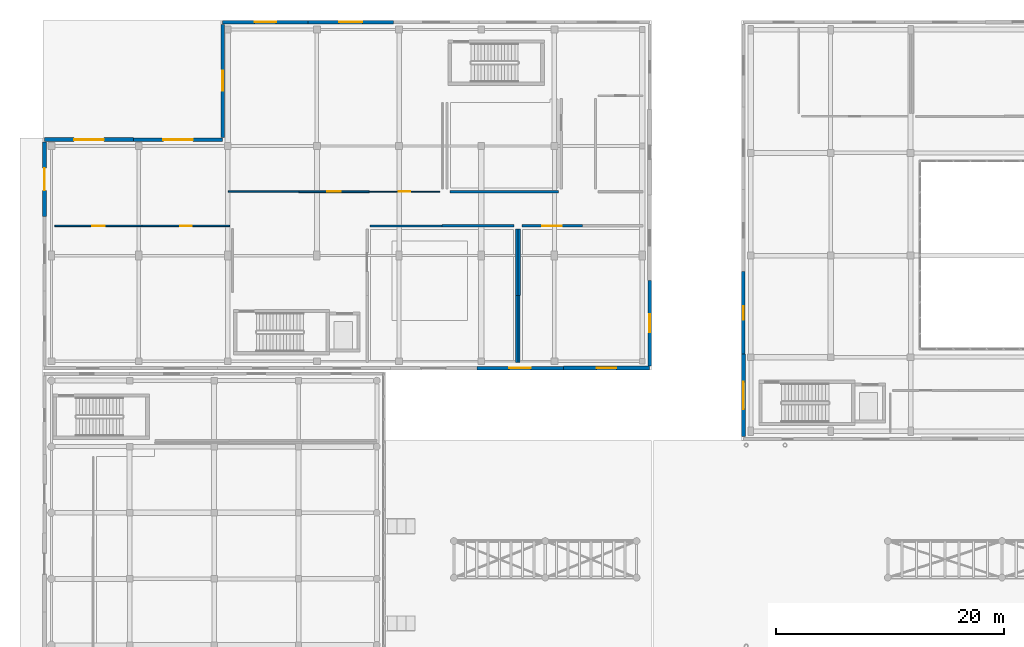
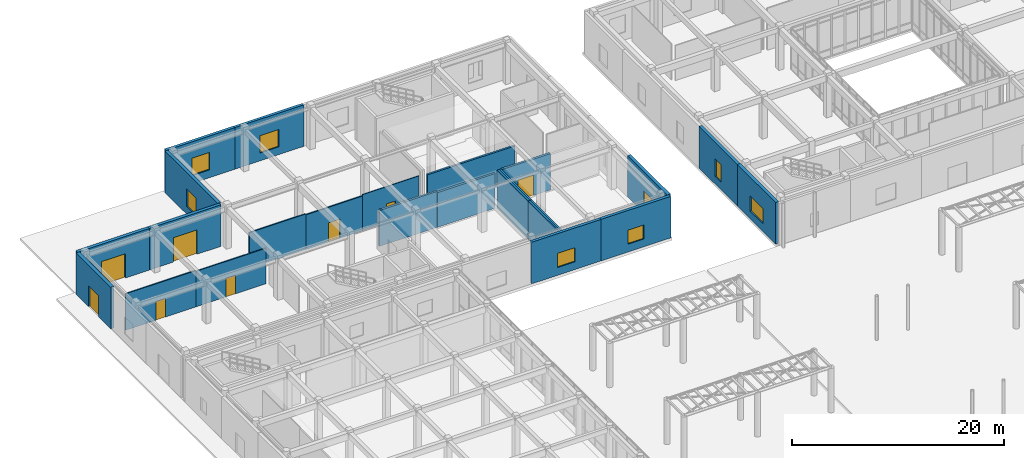
# One storey, part 102 of 121: 24 walls, 8 doors, 8 windows, 16 openings.
"""IFC4 building model written with IfcOpenShell, lengths in metres."""

import ifcopenshell
import ifcopenshell.guid

model = None  # the IFC model being written
_history = None  # IfcOwnerHistory: only IFC2X3 demands one
_inside = {}  # id of a spatial element -> (the spatial element, [elements in it])
_under = {}  # id of a project, library or spatial element -> (it, [spatial elements below it])
_declared = {}  # id of a project -> (the project, [libraries it declares])
_typed = {}  # id of a type object -> (the type object, [elements of that type])
_made_of = {}  # id of a material, layer set ... -> (it, [elements and type objects made of it])


def new_model(schema):
    """Start an empty IFC model of exactly this schema.

    Asked for "IFC4X3", IfcOpenShell would pick the latest addendum, in which some entities
    have other attributes; the version numbers below select the first issue.
    IFC2X3 requires an IfcOwnerHistory on every rooted entity: one is made here for all.
    """
    global model, _history
    if schema == "IFC4X3":
        model = ifcopenshell.file(schema_version=(4, 3, 0, 0))
    else:
        model = ifcopenshell.file(schema=schema)
    _inside.clear()
    _under.clear()
    _declared.clear()
    _typed.clear()
    _made_of.clear()
    _history = None
    if model.schema == "IFC2X3":
        org = make("IfcOrganization", Name="unknown")
        user = make(
            "IfcPersonAndOrganization",
            ThePerson=make("IfcPerson", FamilyName="unknown"),
            TheOrganization=org,
        )
        app = make(
            "IfcApplication",
            ApplicationDeveloper=org,
            Version="unknown",
            ApplicationFullName="unknown",
            ApplicationIdentifier="unknown",
        )
        _history = make(
            "IfcOwnerHistory",
            OwningUser=user,
            OwningApplication=app,
            ChangeAction="ADDED",
            CreationDate=0,
        )
    return model


def make(cls, **values):
    """One entity of the class cls with the attributes given. An attribute that is None is left unset."""
    return model.create_entity(
        cls, **{name: value for name, value in values.items() if value is not None}
    )


def rooted(cls, **values):
    """An entity with a GlobalId (a new one), such as an element, a storey or a relation."""
    return make(cls, GlobalId=ifcopenshell.guid.new(), OwnerHistory=_history, **values)


def si_unit(unit_type, name, prefix=None):
    """IfcSIUnit, for example si_unit("LENGTHUNIT", "METRE", prefix="MILLI")."""
    return make("IfcSIUnit", UnitType=unit_type, Prefix=prefix, Name=name)


def assignment(units):
    """IfcUnitAssignment: the units of a project."""
    return None if units is None else make("IfcUnitAssignment", Units=units)


def point(xyz):
    """IfcCartesianPoint."""
    return None if xyz is None else make("IfcCartesianPoint", Coordinates=xyz)


def direction(xyz):
    """IfcDirection."""
    return None if xyz is None else make("IfcDirection", DirectionRatios=xyz)


def frame(location, z_axis=None, x_axis=None):
    """IfcAxis2Placement3D, a coordinate frame: its origin and axes. An axis left out is left unset."""
    return make(
        "IfcAxis2Placement3D",
        Location=point(location),
        Axis=direction(z_axis),
        RefDirection=direction(x_axis),
    )


def frame_2d(location, x_axis=None):
    """IfcAxis2Placement2D, a coordinate frame in the plane: its origin and x axis."""
    return make(
        "IfcAxis2Placement2D", Location=point(location), RefDirection=direction(x_axis)
    )


def origin():
    """The frame at (0, 0, 0) with its axes left unset."""
    return frame((0.0, 0.0, 0.0))


def place(relative_to, where):
    """IfcLocalPlacement: puts the frame where relative to a parent placement (None: the world)."""
    return make(
        "IfcLocalPlacement", PlacementRelTo=relative_to, RelativePlacement=where
    )


def context(
    kind, dimensions, precision=None, world=None, true_north=None, identifier=None
):
    """IfcGeometricRepresentationContext, for example the 3D "Model" context."""
    return make(
        "IfcGeometricRepresentationContext",
        ContextIdentifier=identifier,
        ContextType=kind,
        CoordinateSpaceDimension=dimensions,
        Precision=precision,
        WorldCoordinateSystem=world,
        TrueNorth=true_north,
    )


def subcontext(parent, identifier, kind, view, scale=None):
    """IfcGeometricRepresentationSubContext, for example "Body" below "Model"."""
    return make(
        "IfcGeometricRepresentationSubContext",
        ContextIdentifier=identifier,
        ContextType=kind,
        ParentContext=parent,
        TargetScale=scale,
        TargetView=view,
    )


def project(units=None, contexts=None):
    """IfcProject with its units and contexts."""
    return rooted(
        "IfcProject",
        Name="project",
        RepresentationContexts=contexts,
        UnitsInContext=assignment(units),
    )


def spatial(cls, under=None, at=None, **own):
    """A site, building, storey or space (cls), placed at a placement, below another one or the project."""
    s = rooted(cls, ObjectPlacement=at, **own)
    if under is not None:
        _under.setdefault(under.id(), (under, []))[1].append(s)
    return s


def profile(cls, at=None, kind="AREA", **sizes):
    """A parametric profile (cls). Its sizes go by their IFC names, for example OverallWidth=200.0."""
    return make(cls, ProfileType=kind, Position=at, **sizes)


def rectangle(**sizes):
    """IfcRectangleProfileDef."""
    return profile("IfcRectangleProfileDef", **sizes)


def extrude(swept, where, along, depth):
    """IfcExtrudedAreaSolid: the profile swept, set in the frame where, extruded along a direction by depth."""
    return make(
        "IfcExtrudedAreaSolid",
        SweptArea=swept,
        Position=where,
        ExtrudedDirection=direction(along),
        Depth=depth,
    )


def shape(context_of_items, identifier, shape_type, items):
    """IfcShapeRepresentation: the items that make up one representation, for example the "Body"."""
    return make(
        "IfcShapeRepresentation",
        ContextOfItems=context_of_items,
        RepresentationIdentifier=identifier,
        RepresentationType=shape_type,
        Items=items,
    )


def material(Name=None, Category=None):
    """IfcMaterial."""
    return make("IfcMaterial", Name=Name, Category=Category)


def layer(
    of_material, thickness, ventilated=None, Name=None, Category=None, Priority=None
):
    """IfcMaterialLayer: one layer of a wall or slab, of a material (None: an air gap)."""
    return make(
        "IfcMaterialLayer",
        Material=of_material,
        LayerThickness=thickness,
        IsVentilated=ventilated,
        Name=Name,
        Category=Category,
        Priority=Priority,
    )


def layer_set(layers, Name=None):
    """IfcMaterialLayerSet."""
    return make("IfcMaterialLayerSet", MaterialLayers=layers, LayerSetName=Name)


def made_of(thing, what):
    """Note that an element or type object is made of a material, layer set ...; save() writes the relation."""
    if what is not None:
        _made_of.setdefault(what.id(), (what, []))[1].append(thing)
    return thing


def type_object(cls, material=None, **own):
    """A type object (cls), such as IfcWallType, which elements share."""
    return made_of(rooted(cls, **own), material)


def element(
    cls,
    number,
    at=None,
    inside=None,
    cuts=None,
    type_object=None,
    material=None,
    context=None,
    identifier="Body",
    shape_type=None,
    held_by="IfcProductDefinitionShape",
    body=None,
    shapes=None,
    **own,
):
    """One element of the class cls, such as IfcWall. Its Tag is "e" and its number.

    at: its placement. inside: the storey or other place that contains it. cuts: it is an
    opening in that element (IfcRelVoidsElement). A single representation is given by context,
    identifier, shape_type and body (its items); several are given by shapes. held_by: the class
    of the entity that holds the representations. save() writes the other relations.
    """
    e = rooted(cls, Tag="e%d" % number, ObjectPlacement=at, **own)
    if body is not None:
        shapes = [shape(context, identifier, shape_type, body)]
    if shapes is not None:
        e.Representation = make(held_by, Representations=shapes)
    if inside is not None:
        _inside.setdefault(inside.id(), (inside, []))[1].append(e)
    if cuts is not None:
        rooted(
            "IfcRelVoidsElement", RelatingBuildingElement=cuts, RelatedOpeningElement=e
        )
    if type_object is not None:
        _typed.setdefault(type_object.id(), (type_object, []))[1].append(e)
    return made_of(e, material)


def fill(opening, filler):
    """IfcRelFillsElement: the door or window that sits in an opening."""
    return rooted(
        "IfcRelFillsElement",
        RelatingOpeningElement=opening,
        RelatedBuildingElement=filler,
    )


def aggregate(whole, parts):
    """IfcRelAggregates: a whole, such as a stair, and the parts it consists of."""
    return rooted("IfcRelAggregates", RelatingObject=whole, RelatedObjects=parts)


def save(model, path):
    """Write the relations noted so far, then the file.

    IfcRelAggregates (storeys below a building ...), IfcRelContainedInSpatialStructure (elements
    in a storey), IfcRelDefinesByType, IfcRelAssociatesMaterial and IfcRelDeclares: one each for
    every whole, place, type object, material and project.
    """
    for whole, parts in _under.values():
        aggregate(whole, parts)
    for where, things in _inside.values():
        rooted(
            "IfcRelContainedInSpatialStructure",
            RelatedElements=things,
            RelatingStructure=where,
        )
    for kind, things in _typed.values():
        rooted("IfcRelDefinesByType", RelatedObjects=things, RelatingType=kind)
    for what, things in _made_of.values():
        rooted("IfcRelAssociatesMaterial", RelatedObjects=things, RelatingMaterial=what)
    for by, libraries in _declared.values():
        rooted("IfcRelDeclares", RelatingContext=by, RelatedDefinitions=libraries)
    model.write(path)


model = new_model("IFC4")

# Units and contexts
model_context = context("Model", 3, precision=1e-05, world=origin(), true_north=direction((0.0, 1.0)))
body_context = subcontext(model_context, "Body", "Model", "MODEL_VIEW")
ifc_project = project(units=[si_unit("LENGTHUNIT", "METRE"), si_unit("AREAUNIT", "SQUARE_METRE"), si_unit("VOLUMEUNIT", "CUBIC_METRE"), si_unit("PLANEANGLEUNIT", "RADIAN"), si_unit("MASSUNIT", "GRAM", prefix="KILO")], contexts=[model_context])

# Site, building, storey
site_placement = place(None, origin())
site = spatial("IfcSite", under=ifc_project, at=site_placement, CompositionType="ELEMENT")
building_placement = place(site_placement, origin())
building = spatial("IfcBuilding", under=site, at=building_placement, Name="Valcora Specialist Clinic", CompositionType="ELEMENT")
storey_placement = place(building_placement, origin())
storey = spatial("IfcBuildingStorey", under=building, at=storey_placement, Name="L00", CompositionType="ELEMENT", Elevation=0.0)

# Wall, opening, window
ifc_material_1 = material(Name="Extruded Jalisco Clay Brick Masonry", Category="masonry")
ifc_layer_1 = layer(ifc_material_1, 0.294921875)
ifc_layer_set_1 = layer_set([ifc_layer_1], Name="Extruded Jalisco Clay Brick Masonry")
wall_type_1 = type_object("IfcWallType", Name="TY-WL-EW295", PredefinedType="SOLIDWALL", material=ifc_layer_set_1)
wall_1_placement = place(storey_placement, frame((23.22998046875, 110.64990234375, 0.0), z_axis=(0.0, 0.0, 1.0), x_axis=(1.0, 0.0, 0.0)))
wall_1 = element("IfcWall", 1, at=wall_1_placement, inside=storey, type_object=wall_type_1, Name="Exterior wall WL-EXT-L00-0046", PredefinedType="SOLIDWALL", context=body_context, shape_type="SweptSolid", body=[
    extrude(rectangle(XDim=7.47998046875, YDim=0.294921875, at=frame_2d((3.739990234375, 0.0))), origin(), (0.0, 0.0, 1.0), 4.784912109375),
])
opening_1_placement = place(wall_1_placement, frame((2.715087890625, 0.0, 0.89990234375)))
opening_1 = element("IfcOpeningElement", 2, at=opening_1_placement, cuts=wall_1, Name="Opening WN-27", PredefinedType="OPENING", context=body_context, shape_type="SweptSolid", body=[
    extrude(rectangle(XDim=2.050048828125, YDim=2.0, at=frame_2d((1.02490234375, 1.0))), frame((0.0, 0.157470703125, 0.0), z_axis=(0.0, -1.0, 0.0), x_axis=(1.0, 0.0, 0.0)), (0.0, 0.0, 1.0), 0.31494140625),
])
ifc_material_2 = material(Name="Low-E Laminated Insulating Glass", Category="glass")
window_type_1 = type_object("IfcWindowType", Name="TY-WN-27", PartitioningType="SINGLE_PANEL", PredefinedType="WINDOW", material=ifc_material_2)
window_1_placement = place(opening_1_placement, origin())
window_1 = element("IfcWindow", 3, at=window_1_placement, inside=storey, type_object=window_type_1, Name="Facade window WN-L00-0027", OverallHeight=2.0, OverallWidth=2.050048828125, PartitioningType="SINGLE_PANEL", PredefinedType="WINDOW", context=body_context, shape_type="SweptSolid", body=[
    extrude(rectangle(XDim=2.050048828125, YDim=2.0, at=frame_2d((1.02490234375, 1.0))), frame((0.0, 0.030029296875, 0.0), z_axis=(0.0, -1.0, 0.0), x_axis=(1.0, 0.0, 0.0)), (0.0, 0.0, 1.0), 0.06005859375),
])
fill(opening_1, window_1)

ifc_layer_2 = layer(ifc_material_1, 0.31005859375)
ifc_layer_set_2 = layer_set([ifc_layer_2], Name="Extruded Jalisco Clay Brick Masonry")
wall_type_2 = type_object("IfcWallType", Name="TY-WL-EW310", PredefinedType="SOLIDWALL", material=ifc_layer_set_2)
wall_2_placement = place(storey_placement, frame((15.75, 110.64990234375, 0.0), z_axis=(0.0, 0.0, 1.0), x_axis=(1.0, 0.0, 0.0)))
wall_2 = element("IfcWall", 4, at=wall_2_placement, inside=storey, type_object=wall_type_2, Name="Exterior wall WL-EXT-L00-0045", PredefinedType="SOLIDWALL", context=body_context, shape_type="SweptSolid", body=[
    extrude(rectangle(XDim=7.47998046875, YDim=0.31005859375, at=frame_2d((3.739990234375, 0.0))), origin(), (0.0, 0.0, 1.0), 4.784912109375),
])
opening_2_placement = place(wall_2_placement, frame((2.7900390625, 0.0, 0.89990234375)))
opening_2 = element("IfcOpeningElement", 5, at=opening_2_placement, cuts=wall_2, Name="Opening WN-26", PredefinedType="OPENING", context=body_context, shape_type="SweptSolid", body=[
    extrude(rectangle(XDim=1.89990234375, YDim=2.0, at=frame_2d((0.949951171875, 1.0))), frame((0.0, 0.1650390625, 0.0), z_axis=(0.0, -1.0, 0.0), x_axis=(1.0, 0.0, 0.0)), (0.0, 0.0, 1.0), 0.330078125),
])
window_type_2 = type_object("IfcWindowType", Name="TY-WN-26", PartitioningType="SINGLE_PANEL", PredefinedType="WINDOW", material=ifc_material_2)
window_2_placement = place(opening_2_placement, origin())
window_2 = element("IfcWindow", 6, at=window_2_placement, inside=storey, type_object=window_type_2, Name="Facade window WN-L00-0026", OverallHeight=2.0, OverallWidth=1.89990234375, PartitioningType="SINGLE_PANEL", PredefinedType="WINDOW", context=body_context, shape_type="SweptSolid", body=[
    extrude(rectangle(XDim=1.89990234375, YDim=2.0, at=frame_2d((0.949951171875, 1.0))), frame((0.0, 0.030029296875, 0.0), z_axis=(0.0, -1.0, 0.0), x_axis=(1.0, 0.0, 0.0)), (0.0, 0.0, 1.0), 0.06005859375),
])
fill(opening_2, window_2)

wall_3_placement = place(storey_placement, frame((45.57861328125, 80.35009765625, 0.0), z_axis=(0.0, 0.0, 1.0), x_axis=(-1.0, 0.0, 0.0)))
wall_3 = element("IfcWall", 7, at=wall_3_placement, inside=storey, type_object=wall_type_2, Name="Exterior wall WL-EXT-L00-0055", PredefinedType="SOLIDWALL", context=body_context, shape_type="SweptSolid", body=[
    extrude(rectangle(XDim=7.571533203125, YDim=0.31005859375, at=frame_2d((3.78564453125, 0.0))), origin(), (0.0, 0.0, 1.0), 4.784912109375),
])
opening_3_placement = place(wall_3_placement, frame((2.825927734375, 0.0, 0.89990234375)))
opening_3 = element("IfcOpeningElement", 8, at=opening_3_placement, cuts=wall_3, Name="Opening WN-36", PredefinedType="OPENING", context=body_context, shape_type="SweptSolid", body=[
    extrude(rectangle(XDim=1.919921875, YDim=1.6201171875, at=frame_2d((0.9599609375, 0.81005859375))), frame((0.0, 0.1650390625, 0.0), z_axis=(0.0, -1.0, 0.0), x_axis=(1.0, 0.0, 0.0)), (0.0, 0.0, 1.0), 0.330078125),
])
window_type_3 = type_object("IfcWindowType", Name="TY-WN-36", PartitioningType="SINGLE_PANEL", PredefinedType="WINDOW", material=ifc_material_2)
window_3_placement = place(opening_3_placement, origin())
window_3 = element("IfcWindow", 9, at=window_3_placement, inside=storey, type_object=window_type_3, Name="Facade window WN-L00-0036", OverallHeight=1.6201171875, OverallWidth=1.919921875, PartitioningType="SINGLE_PANEL", PredefinedType="WINDOW", context=body_context, shape_type="SweptSolid", body=[
    extrude(rectangle(XDim=1.919921875, YDim=1.6201171875, at=frame_2d((0.9599609375, 0.81005859375))), frame((0.0, 0.030029296875, 0.0), z_axis=(0.0, -1.0, 0.0), x_axis=(1.0, 0.0, 0.0)), (0.0, 0.0, 1.0), 0.06005859375),
])
fill(opening_3, window_3)

ifc_layer_3 = layer(ifc_material_1, 0.324951171875)
ifc_layer_set_3 = layer_set([ifc_layer_3], Name="Extruded Jalisco Clay Brick Masonry")
wall_type_3 = type_object("IfcWallType", Name="TY-WL-EW325", PredefinedType="SOLIDWALL", material=ifc_layer_set_3)
wall_4_placement = place(storey_placement, frame((15.75, 100.5400390625, 0.0), z_axis=(0.0, 0.0, 1.0), x_axis=(0.0, 1.0, 0.0)))
wall_4 = element("IfcWall", 10, at=wall_4_placement, inside=storey, type_object=wall_type_3, Name="Exterior wall WL-EXT-L00-0044", PredefinedType="SOLIDWALL", context=body_context, shape_type="SweptSolid", body=[
    extrude(rectangle(XDim=9.919921875, YDim=0.324951171875, at=frame_2d((4.9599609375, 0.0))), origin(), (0.0, 0.0, 1.0), 4.784912109375),
])
opening_4_placement = place(wall_4_placement, frame((4.0849609375, 0.0, 0.89990234375)))
opening_4 = element("IfcOpeningElement", 11, at=opening_4_placement, cuts=wall_4, Name="Opening WN-25", PredefinedType="OPENING", context=body_context, shape_type="SweptSolid", body=[
    extrude(rectangle(XDim=1.75, YDim=2.0, at=frame_2d((0.875, 1.0))), frame((0.0, 0.17236328125, 0.0), z_axis=(0.0, -1.0, 0.0), x_axis=(1.0, 0.0, 0.0)), (0.0, 0.0, 1.0), 0.344970703125),
])
window_type_4 = type_object("IfcWindowType", Name="TY-WN-25", PartitioningType="SINGLE_PANEL", PredefinedType="WINDOW", material=ifc_material_2)
window_4_placement = place(opening_4_placement, origin())
window_4 = element("IfcWindow", 12, at=window_4_placement, inside=storey, type_object=window_type_4, Name="Facade window WN-L00-0025", OverallHeight=2.0, OverallWidth=1.75, PartitioningType="SINGLE_PANEL", PredefinedType="WINDOW", context=body_context, shape_type="SweptSolid", body=[
    extrude(rectangle(XDim=1.75, YDim=2.0, at=frame_2d((0.875, 1.0))), frame((0.0, 0.030029296875, 0.0), z_axis=(0.0, -1.0, 0.0), x_axis=(1.0, 0.0, 0.0)), (0.0, 0.0, 1.0), 0.06005859375),
])
fill(opening_4, window_4)

wall_5_placement = place(storey_placement, frame((53.14990234375, 80.35009765625, 0.0), z_axis=(0.0, 0.0, 1.0), x_axis=(-1.0, 0.0, 0.0)))
wall_5 = element("IfcWall", 13, at=wall_5_placement, inside=storey, type_object=wall_type_3, Name="Exterior wall WL-EXT-L00-0054", PredefinedType="SOLIDWALL", context=body_context, shape_type="SweptSolid", body=[
    extrude(rectangle(XDim=7.5712890625, YDim=0.324951171875, at=frame_2d((3.78564453125, 0.0))), origin(), (0.0, 0.0, 1.0), 4.784912109375),
])
opening_5_placement = place(wall_5_placement, frame((2.926025390625, 0.0, 0.89990234375)))
opening_5 = element("IfcOpeningElement", 14, at=opening_5_placement, cuts=wall_5, Name="Opening WN-35", PredefinedType="OPENING", context=body_context, shape_type="SweptSolid", body=[
    extrude(rectangle(XDim=1.719970703125, YDim=1.6201171875, at=frame_2d((0.85986328125, 0.81005859375))), frame((0.0, 0.17236328125, 0.0), z_axis=(0.0, -1.0, 0.0), x_axis=(1.0, 0.0, 0.0)), (0.0, 0.0, 1.0), 0.344970703125),
])
window_type_5 = type_object("IfcWindowType", Name="TY-WN-35", PartitioningType="SINGLE_PANEL", PredefinedType="WINDOW", material=ifc_material_2)
window_5_placement = place(opening_5_placement, origin())
window_5 = element("IfcWindow", 15, at=window_5_placement, inside=storey, type_object=window_type_5, Name="Facade window WN-L00-0035", OverallHeight=1.6201171875, OverallWidth=1.719970703125, PartitioningType="SINGLE_PANEL", PredefinedType="WINDOW", context=body_context, shape_type="SweptSolid", body=[
    extrude(rectangle(XDim=1.719970703125, YDim=1.6201171875, at=frame_2d((0.85986328125, 0.81005859375))), frame((0.0, 0.030029296875, 0.0), z_axis=(0.0, -1.0, 0.0), x_axis=(1.0, 0.0, 0.0)), (0.0, 0.0, 1.0), 0.06005859375),
])
fill(opening_5, window_5)

wall_6_placement = place(storey_placement, frame((61.35009765625, 81.56396484375, 0.0), z_axis=(0.0, 0.0, 1.0), x_axis=(0.0, 1.0, 0.0)))
wall_6 = element("IfcWall", 16, at=wall_6_placement, inside=storey, type_object=wall_type_3, Name="Exterior wall WL-EXT-L00-0124", PredefinedType="SOLIDWALL", context=body_context, shape_type="SweptSolid", body=[
    extrude(rectangle(XDim=7.22412109375, YDim=0.324951171875, at=frame_2d((3.612060546875, 0.0))), origin(), (0.0, 0.0, 1.0), 4.81005859375),
])
opening_6_placement = place(wall_6_placement, frame((3.037109375, 0.0, 0.89990234375)))
opening_6 = element("IfcOpeningElement", 17, at=opening_6_placement, cuts=wall_6, Name="Opening WN-21", PredefinedType="OPENING", context=body_context, shape_type="SweptSolid", body=[
    extrude(rectangle(XDim=1.14990234375, YDim=2.0, at=frame_2d((0.574951171875, 1.0))), frame((0.0, 0.17236328125, 0.0), z_axis=(0.0, -1.0, 0.0), x_axis=(1.0, 0.0, 0.0)), (0.0, 0.0, 1.0), 0.344970703125),
])
window_type_6 = type_object("IfcWindowType", Name="TY-WN-21", PartitioningType="SINGLE_PANEL", PredefinedType="WINDOW", material=ifc_material_2)
window_6_placement = place(opening_6_placement, origin())
window_6 = element("IfcWindow", 18, at=window_6_placement, inside=storey, type_object=window_type_6, Name="Facade window WN-L00-0105", OverallHeight=2.0, OverallWidth=1.14990234375, PartitioningType="SINGLE_PANEL", PredefinedType="WINDOW", context=body_context, shape_type="SweptSolid", body=[
    extrude(rectangle(XDim=1.14990234375, YDim=2.0, at=frame_2d((0.574951171875, 1.0))), frame((0.0, 0.030029296875, 0.0), z_axis=(0.0, -1.0, 0.0), x_axis=(1.0, 0.0, 0.0)), (0.0, 0.0, 1.0), 0.06005859375),
])
fill(opening_6, window_6)

# Wall, opening, door
ifc_layer_4 = layer(ifc_material_1, 0.340087890625)
ifc_layer_set_4 = layer_set([ifc_layer_4], Name="Extruded Jalisco Clay Brick Masonry")
wall_type_4 = type_object("IfcWallType", Name="TY-WL-EW340", PredefinedType="SOLIDWALL", material=ifc_layer_set_4)
wall_7_placement = place(storey_placement, frame((7.949951171875, 100.35009765625, 0.0), z_axis=(0.0, 0.0, 1.0), x_axis=(1.0, 0.0, 0.0)))
wall_7 = element("IfcWall", 19, at=wall_7_placement, inside=storey, type_object=wall_type_4, Name="Exterior wall WL-EXT-L00-0043", PredefinedType="SOLIDWALL", context=body_context, shape_type="SweptSolid", body=[
    extrude(rectangle(XDim=7.800048828125, YDim=0.340087890625, at=frame_2d((3.89990234375, 0.0))), origin(), (0.0, 0.0, 1.0), 4.784912109375),
])
opening_7_placement = place(wall_7_placement, frame((2.60009765625, 0.0, 0.0)))
opening_7 = element("IfcOpeningElement", 20, at=opening_7_placement, cuts=wall_7, Name="Opening DR-DK-260", PredefinedType="OPENING", context=body_context, shape_type="SweptSolid", body=[
    extrude(rectangle(XDim=2.60009765625, YDim=2.800048828125, at=frame_2d((1.300048828125, 1.39990234375))), frame((0.0, 0.179931640625, 0.0), z_axis=(0.0, -1.0, 0.0), x_axis=(1.0, 0.0, 0.0)), (0.0, 0.0, 1.0), 0.360107421875),
])
ifc_material_3 = material(Name="Anodized Bronze Aluminium 6063-T6", Category="aluminium")
door_type_1 = type_object("IfcDoorType", Name="TY-DR-DK260", OperationType="NOTDEFINED", PredefinedType="DOOR", material=ifc_material_3)
door_1_placement = place(opening_7_placement, origin())
door_1 = element("IfcDoor", 21, at=door_1_placement, inside=storey, type_object=door_type_1, Name="Exterior door DR-EXT-L00-009", OperationType="SINGLE_SWING_LEFT", OverallHeight=2.800048828125, OverallWidth=2.60009765625, PredefinedType="DOOR", context=body_context, shape_type="SweptSolid", body=[
    extrude(rectangle(XDim=2.60009765625, YDim=2.800048828125, at=frame_2d((1.300048828125, 1.39990234375))), frame((0.0, 0.02490234375, 0.0), z_axis=(0.0, -1.0, 0.0), x_axis=(1.0, 0.0, 0.0)), (0.0, 0.0, 1.0), 0.050048828125),
])
fill(opening_7, door_1)

# Wall, opening, window
wall_8_placement = place(storey_placement, frame((53.14990234375, 88.02001953125, 0.0), z_axis=(0.0, 0.0, 1.0), x_axis=(0.0, -1.0, 0.0)))
wall_8 = element("IfcWall", 22, at=wall_8_placement, inside=storey, type_object=wall_type_4, Name="Exterior wall WL-EXT-L00-0053", PredefinedType="SOLIDWALL", context=body_context, shape_type="SweptSolid", body=[
    extrude(rectangle(XDim=7.47998046875, YDim=0.340087890625, at=frame_2d((3.739990234375, 0.0))), origin(), (0.0, 0.0, 1.0), 4.784912109375),
])
opening_8_placement = place(wall_8_placement, frame((2.969970703125, 0.0, 0.89990234375)))
opening_8 = element("IfcOpeningElement", 23, at=opening_8_placement, cuts=wall_8, Name="Opening WN-34", PredefinedType="OPENING", context=body_context, shape_type="SweptSolid", body=[
    extrude(rectangle(XDim=1.5400390625, YDim=1.6201171875, at=frame_2d((0.77001953125, 0.81005859375))), frame((0.0, 0.179931640625, 0.0), z_axis=(0.0, -1.0, 0.0), x_axis=(1.0, 0.0, 0.0)), (0.0, 0.0, 1.0), 0.360107421875),
])
window_type_7 = type_object("IfcWindowType", Name="TY-WN-34", PartitioningType="SINGLE_PANEL", PredefinedType="WINDOW", material=ifc_material_2)
window_7_placement = place(opening_8_placement, origin())
window_7 = element("IfcWindow", 24, at=window_7_placement, inside=storey, type_object=window_type_7, Name="Facade window WN-L00-0034", OverallHeight=1.6201171875, OverallWidth=1.5400390625, PartitioningType="SINGLE_PANEL", PredefinedType="WINDOW", context=body_context, shape_type="SweptSolid", body=[
    extrude(rectangle(XDim=1.5400390625, YDim=1.6201171875, at=frame_2d((0.77001953125, 0.81005859375))), frame((0.0, 0.030029296875, 0.0), z_axis=(0.0, -1.0, 0.0), x_axis=(1.0, 0.0, 0.0)), (0.0, 0.0, 1.0), 0.06005859375),
])
fill(opening_8, window_7)

wall_9_placement = place(storey_placement, frame((61.35009765625, 74.340087890625, 0.0), z_axis=(0.0, 0.0, 1.0), x_axis=(0.0, 1.0, 0.0)))
wall_9 = element("IfcWall", 25, at=wall_9_placement, inside=storey, type_object=wall_type_4, Name="Exterior wall WL-EXT-L00-0123", PredefinedType="SOLIDWALL", context=body_context, shape_type="SweptSolid", body=[
    extrude(rectangle(XDim=7.223876953125, YDim=0.340087890625, at=frame_2d((3.61181640625, 0.0))), origin(), (0.0, 0.0, 1.0), 4.81005859375),
])
opening_9_placement = place(wall_9_placement, frame((2.412109375, 0.0, 0.89990234375)))
opening_9 = element("IfcOpeningElement", 26, at=opening_9_placement, cuts=wall_9, Name="Opening WN-20", PredefinedType="OPENING", context=body_context, shape_type="SweptSolid", body=[
    extrude(rectangle(XDim=2.39990234375, YDim=1.75, at=frame_2d((1.199951171875, 0.875))), frame((0.0, 0.179931640625, 0.0), z_axis=(0.0, -1.0, 0.0), x_axis=(1.0, 0.0, 0.0)), (0.0, 0.0, 1.0), 0.360107421875),
])
window_type_8 = type_object("IfcWindowType", Name="TY-WN-20", PartitioningType="SINGLE_PANEL", PredefinedType="WINDOW", material=ifc_material_2)
window_8_placement = place(opening_9_placement, origin())
window_8 = element("IfcWindow", 27, at=window_8_placement, inside=storey, type_object=window_type_8, Name="Facade window WN-L00-0104", OverallHeight=1.75, OverallWidth=2.39990234375, PartitioningType="SINGLE_PANEL", PredefinedType="WINDOW", context=body_context, shape_type="SweptSolid", body=[
    extrude(rectangle(XDim=2.39990234375, YDim=1.75, at=frame_2d((1.199951171875, 0.875))), frame((0.0, 0.030029296875, 0.0), z_axis=(0.0, -1.0, 0.0), x_axis=(1.0, 0.0, 0.0)), (0.0, 0.0, 1.0), 0.06005859375),
])
fill(opening_9, window_8)

# Wall, opening, door
ifc_layer_5 = layer(ifc_material_1, 0.35498046875)
ifc_layer_set_5 = layer_set([ifc_layer_5], Name="Extruded Jalisco Clay Brick Masonry")
wall_type_5 = type_object("IfcWallType", Name="TY-WL-EW355", PredefinedType="SOLIDWALL", material=ifc_layer_set_5)
wall_10_placement = place(storey_placement, frame((0.14990234375, 100.35009765625, 0.0), z_axis=(0.0, 0.0, 1.0), x_axis=(1.0, 0.0, 0.0)))
wall_10 = element("IfcWall", 28, at=wall_10_placement, inside=storey, type_object=wall_type_5, Name="Exterior wall WL-EXT-L00-0042", PredefinedType="SOLIDWALL", context=body_context, shape_type="SweptSolid", body=[
    extrude(rectangle(XDim=7.800048828125, YDim=0.35498046875, at=frame_2d((3.89990234375, 0.0))), origin(), (0.0, 0.0, 1.0), 4.784912109375),
])
opening_10_placement = place(wall_10_placement, frame((2.60009765625, 0.0, 0.0)))
opening_10 = element("IfcOpeningElement", 29, at=opening_10_placement, cuts=wall_10, Name="Opening DR-DK-260", PredefinedType="OPENING", context=body_context, shape_type="SweptSolid", body=[
    extrude(rectangle(XDim=2.60009765625, YDim=2.800048828125, at=frame_2d((1.300048828125, 1.39990234375))), frame((0.0, 0.1875, 0.0), z_axis=(0.0, -1.0, 0.0), x_axis=(1.0, 0.0, 0.0)), (0.0, 0.0, 1.0), 0.375),
])
door_2_placement = place(opening_10_placement, origin())
door_2 = element("IfcDoor", 30, at=door_2_placement, inside=storey, type_object=door_type_1, Name="Exterior door DR-EXT-L00-008", OperationType="SINGLE_SWING_RIGHT", OverallHeight=2.800048828125, OverallWidth=2.60009765625, PredefinedType="DOOR", context=body_context, shape_type="SweptSolid", body=[
    extrude(rectangle(XDim=2.60009765625, YDim=2.800048828125, at=frame_2d((1.300048828125, 1.39990234375))), frame((0.0, 0.02490234375, 0.0), z_axis=(0.0, -1.0, 0.0), x_axis=(1.0, 0.0, 0.0)), (0.0, 0.0, 1.0), 0.050048828125),
])
fill(opening_10, door_2)

ifc_layer_6 = layer(ifc_material_1, 0.3701171875)
ifc_layer_set_6 = layer_set([ifc_layer_6], Name="Extruded Jalisco Clay Brick Masonry")
wall_type_6 = type_object("IfcWallType", Name="TY-WL-EW370", PredefinedType="SOLIDWALL", material=ifc_layer_set_6)
wall_11_placement = place(storey_placement, frame((0.14990234375, 93.6201171875, 0.0), z_axis=(0.0, 0.0, 1.0), x_axis=(0.0, 1.0, 0.0)))
wall_11 = element("IfcWall", 31, at=wall_11_placement, inside=storey, type_object=wall_type_6, Name="Exterior wall WL-EXT-L00-0041", PredefinedType="SOLIDWALL", context=body_context, shape_type="SweptSolid", body=[
    extrude(rectangle(XDim=6.539794921875, YDim=0.3701171875, at=frame_2d((3.27001953125, 0.0))), origin(), (0.0, 0.0, 1.0), 4.784912109375),
])
opening_11_placement = place(wall_11_placement, frame((2.294921875, 0.0, 0.0)))
opening_11 = element("IfcOpeningElement", 32, at=opening_11_placement, cuts=wall_11, Name="Opening DR-EX-195", PredefinedType="OPENING", context=body_context, shape_type="SweptSolid", body=[
    extrude(rectangle(XDim=1.949951171875, YDim=2.39990234375, at=frame_2d((0.97509765625, 1.199951171875))), frame((0.0, 0.195068359375, 0.0), z_axis=(0.0, -1.0, 0.0), x_axis=(1.0, 0.0, 0.0)), (0.0, 0.0, 1.0), 0.39013671875),
])
door_type_2 = type_object("IfcDoorType", Name="TY-DR-EX195", OperationType="NOTDEFINED", PredefinedType="DOOR", material=ifc_material_3)
door_3_placement = place(opening_11_placement, origin())
door_3 = element("IfcDoor", 33, at=door_3_placement, inside=storey, type_object=door_type_2, Name="Exterior door DR-EXT-L00-007", OperationType="SINGLE_SWING_LEFT", OverallHeight=2.39990234375, OverallWidth=1.949951171875, PredefinedType="DOOR", context=body_context, shape_type="SweptSolid", body=[
    extrude(rectangle(XDim=1.949951171875, YDim=2.39990234375, at=frame_2d((0.97509765625, 1.199951171875))), frame((0.0, 0.02490234375, 0.0), z_axis=(0.0, -1.0, 0.0), x_axis=(1.0, 0.0, 0.0)), (0.0, 0.0, 1.0), 0.050048828125),
])
fill(opening_11, door_3)

ifc_material_4 = material(Name="Gypsum Board Partition Assembly")
ifc_layer_7 = layer(ifc_material_4, 0.094970703125)
ifc_layer_set_7 = layer_set([ifc_layer_7], Name="Gypsum Board Partition Assembly")
wall_type_7 = type_object("IfcWallType", Name="TY-WL-PT095", PredefinedType="PARTITIONING", material=ifc_layer_set_7)
wall_12_placement = place(storey_placement, frame((34.75, 95.800048828125, 0.0), z_axis=(0.0, 0.0, 1.0), x_axis=(-1.0, 0.0, 0.0)))
wall_12 = element("IfcWall", 34, at=wall_12_placement, inside=storey, type_object=wall_type_7, Name="Interior partition WL-INT-L00-0053", PredefinedType="PARTITIONING", context=body_context, shape_type="SweptSolid", body=[
    extrude(rectangle(XDim=6.1669921875, YDim=0.094970703125, at=frame_2d((3.08349609375, 0.0))), origin(), (0.0, 0.0, 1.0), 4.135009765625),
])
opening_12_placement = place(wall_12_placement, frame((2.593994140625, 0.0, 0.0)))
opening_12 = element("IfcOpeningElement", 35, at=opening_12_placement, cuts=wall_12, Name="Opening DR-CN-098", PredefinedType="OPENING", context=body_context, shape_type="SweptSolid", body=[
    extrude(rectangle(XDim=0.97998046875, YDim=2.14990234375, at=frame_2d((0.489990234375, 1.074951171875))), frame((0.0, 0.057373046875, 0.0), z_axis=(0.0, -1.0, 0.0), x_axis=(1.0, 0.0, 0.0)), (0.0, 0.0, 1.0), 0.114990234375),
])
ifc_material_5 = material(Name="Glulam Conifer Class 24F", Category="wood")
door_type_3 = type_object("IfcDoorType", Name="TY-DR-CN098", OperationType="NOTDEFINED", PredefinedType="DOOR", material=ifc_material_5)
door_4_placement = place(opening_12_placement, origin())
door_4 = element("IfcDoor", 36, at=door_4_placement, inside=storey, type_object=door_type_3, Name="Interior door DR-INT-L00-0014", OperationType="SINGLE_SWING_RIGHT", OverallHeight=2.14990234375, OverallWidth=0.97998046875, PredefinedType="DOOR", context=body_context, shape_type="SweptSolid", body=[
    extrude(rectangle(XDim=0.97998046875, YDim=2.14990234375, at=frame_2d((0.489990234375, 1.074951171875))), frame((0.0, 0.02490234375, 0.0), z_axis=(0.0, -1.0, 0.0), x_axis=(1.0, 0.0, 0.0)), (0.0, 0.0, 1.0), 0.050048828125),
])
fill(opening_12, door_4)

ifc_layer_8 = layer(ifc_material_4, 0.125)
ifc_layer_set_8 = layer_set([ifc_layer_8], Name="Gypsum Board Partition Assembly")
wall_type_8 = type_object("IfcWallType", Name="TY-WL-PT125", PredefinedType="PARTITIONING", material=ifc_layer_set_8)
wall_13_placement = place(storey_placement, frame((8.699951171875, 92.800048828125, 0.0), z_axis=(0.0, 0.0, 1.0), x_axis=(1.0, 0.0, 0.0)))
wall_13 = element("IfcWall", 37, at=wall_13_placement, inside=storey, type_object=wall_type_8, Name="Interior partition WL-INT-L00-0050", PredefinedType="PARTITIONING", context=body_context, shape_type="SweptSolid", body=[
    extrude(rectangle(XDim=7.650146484375, YDim=0.125, at=frame_2d((3.8251953125, 0.0))), origin(), (0.0, 0.0, 1.0), 4.0849609375),
])
opening_13_placement = place(wall_13_placement, frame((3.31494140625, 0.0, 0.0)))
opening_13 = element("IfcOpeningElement", 38, at=opening_13_placement, cuts=wall_13, Name="Opening DR-CN-102", PredefinedType="OPENING", context=body_context, shape_type="SweptSolid", body=[
    extrude(rectangle(XDim=1.02001953125, YDim=2.14990234375, at=frame_2d((0.510009765625, 1.074951171875))), frame((0.0, 0.072509765625, 0.0), z_axis=(0.0, -1.0, 0.0), x_axis=(1.0, 0.0, 0.0)), (0.0, 0.0, 1.0), 0.14501953125),
])
door_type_4 = type_object("IfcDoorType", Name="TY-DR-CN102", OperationType="NOTDEFINED", PredefinedType="DOOR", material=ifc_material_5)
door_5_placement = place(opening_13_placement, origin())
door_5 = element("IfcDoor", 39, at=door_5_placement, inside=storey, type_object=door_type_4, Name="Interior door DR-INT-L00-0013", OperationType="SINGLE_SWING_LEFT", OverallHeight=2.14990234375, OverallWidth=1.02001953125, PredefinedType="DOOR", context=body_context, shape_type="SweptSolid", body=[
    extrude(rectangle(XDim=1.02001953125, YDim=2.14990234375, at=frame_2d((0.510009765625, 1.074951171875))), frame((0.0, 0.02490234375, 0.0), z_axis=(0.0, -1.0, 0.0), x_axis=(1.0, 0.0, 0.0)), (0.0, 0.0, 1.0), 0.050048828125),
])
fill(opening_13, door_5)

ifc_layer_9 = layer(ifc_material_4, 0.135009765625)
ifc_layer_set_9 = layer_set([ifc_layer_9], Name="Gypsum Board Partition Assembly")
wall_type_9 = type_object("IfcWallType", Name="TY-WL-PT135", PredefinedType="PARTITIONING", material=ifc_layer_set_9)
wall_14_placement = place(storey_placement, frame((1.050048828125, 92.800048828125, 0.0), z_axis=(0.0, 0.0, 1.0), x_axis=(1.0, 0.0, 0.0)))
wall_14 = element("IfcWall", 40, at=wall_14_placement, inside=storey, type_object=wall_type_9, Name="Interior partition WL-INT-L00-0049", PredefinedType="PARTITIONING", context=body_context, shape_type="SweptSolid", body=[
    extrude(rectangle(XDim=7.64990234375, YDim=0.135009765625, at=frame_2d((3.824951171875, 0.0))), origin(), (0.0, 0.0, 1.0), 4.18505859375),
])
opening_14_placement = place(wall_14_placement, frame((3.294921875, 0.0, 0.0)))
opening_14 = element("IfcOpeningElement", 41, at=opening_14_placement, cuts=wall_14, Name="Opening DR-CN-106", PredefinedType="OPENING", context=body_context, shape_type="SweptSolid", body=[
    extrude(rectangle(XDim=1.06005859375, YDim=2.14990234375, at=frame_2d((0.530029296875, 1.074951171875))), frame((0.0, 0.077392578125, 0.0), z_axis=(0.0, -1.0, 0.0), x_axis=(1.0, 0.0, 0.0)), (0.0, 0.0, 1.0), 0.155029296875),
])
door_type_5 = type_object("IfcDoorType", Name="TY-DR-CN106", OperationType="NOTDEFINED", PredefinedType="DOOR", material=ifc_material_5)
door_6_placement = place(opening_14_placement, origin())
door_6 = element("IfcDoor", 42, at=door_6_placement, inside=storey, type_object=door_type_5, Name="Interior door DR-INT-L00-0012", OperationType="SINGLE_SWING_RIGHT", OverallHeight=2.14990234375, OverallWidth=1.06005859375, PredefinedType="DOOR", context=body_context, shape_type="SweptSolid", body=[
    extrude(rectangle(XDim=1.06005859375, YDim=2.14990234375, at=frame_2d((0.530029296875, 1.074951171875))), frame((0.0, 0.02490234375, 0.0), z_axis=(0.0, -1.0, 0.0), x_axis=(1.0, 0.0, 0.0)), (0.0, 0.0, 1.0), 0.050048828125),
])
fill(opening_14, door_6)

# Wall
wall_15_placement = place(storey_placement, frame((22.4169921875, 95.800048828125, 0.0), z_axis=(0.0, 0.0, 1.0), x_axis=(-1.0, 0.0, 0.0)))
element("IfcWall", 43, at=wall_15_placement, inside=storey, type_object=wall_type_9, Name="Interior partition WL-INT-L00-0055", PredefinedType="PARTITIONING", context=body_context, shape_type="SweptSolid", body=[
    extrude(rectangle(XDim=6.1669921875, YDim=0.135009765625, at=frame_2d((3.08349609375, 0.0))), origin(), (0.0, 0.0, 1.0), 4.0849609375),
])

# Wall, opening, door
ifc_layer_10 = layer(ifc_material_4, 0.14501953125)
ifc_layer_set_10 = layer_set([ifc_layer_10], Name="Gypsum Board Partition Assembly")
wall_type_10 = type_object("IfcWallType", Name="TY-WL-PT145", PredefinedType="PARTITIONING", material=ifc_layer_set_10)
wall_16_placement = place(storey_placement, frame((28.5830078125, 95.800048828125, 0.0), z_axis=(0.0, 0.0, 1.0), x_axis=(-1.0, 0.0, 0.0)))
wall_16 = element("IfcWall", 44, at=wall_16_placement, inside=storey, type_object=wall_type_10, Name="Interior partition WL-INT-L00-0054", PredefinedType="PARTITIONING", context=body_context, shape_type="SweptSolid", body=[
    extrude(rectangle(XDim=6.166015625, YDim=0.14501953125, at=frame_2d((3.0830078125, 0.0))), origin(), (0.0, 0.0, 1.0), 3.985107421875),
])
opening_15_placement = place(wall_16_placement, frame((2.472900390625, 0.0, 0.0)))
opening_15 = element("IfcOpeningElement", 45, at=opening_15_placement, cuts=wall_16, Name="Opening DR-CN-122", PredefinedType="OPENING", context=body_context, shape_type="SweptSolid", body=[
    extrude(rectangle(XDim=1.219970703125, YDim=2.199951171875, at=frame_2d((0.60986328125, 1.10009765625))), frame((0.0, 0.08251953125, 0.0), z_axis=(0.0, -1.0, 0.0), x_axis=(1.0, 0.0, 0.0)), (0.0, 0.0, 1.0), 0.1650390625),
])
door_type_6 = type_object("IfcDoorType", Name="TY-DR-CN122", OperationType="NOTDEFINED", PredefinedType="DOOR", material=ifc_material_5)
door_7_placement = place(opening_15_placement, origin())
door_7 = element("IfcDoor", 46, at=door_7_placement, inside=storey, type_object=door_type_6, Name="Interior door DR-INT-L00-0015", OperationType="SINGLE_SWING_LEFT", OverallHeight=2.199951171875, OverallWidth=1.219970703125, PredefinedType="DOOR", context=body_context, shape_type="SweptSolid", body=[
    extrude(rectangle(XDim=1.219970703125, YDim=2.199951171875, at=frame_2d((0.60986328125, 1.10009765625))), frame((0.0, 0.02490234375, 0.0), z_axis=(0.0, -1.0, 0.0), x_axis=(1.0, 0.0, 0.0)), (0.0, 0.0, 1.0), 0.050048828125),
])
fill(opening_15, door_7)

# Walls
ifc_material_6 = material(Name="Lead-Lined Gypsum Partition Assembly")
ifc_layer_11 = layer(ifc_material_6, 0.205078125)
ifc_layer_set_11 = layer_set([ifc_layer_11], Name="Lead-Lined Gypsum Partition Assembly")
wall_type_11 = type_object("IfcWallType", Name="TY-WL-PT205", PredefinedType="PARTITIONING", material=ifc_layer_set_11)
wall_17_placement = place(storey_placement, frame((28.64990234375, 92.800048828125, 0.0), z_axis=(0.0, 0.0, 1.0), x_axis=(1.0, 0.0, 0.0)))
element("IfcWall", 47, at=wall_17_placement, inside=storey, type_object=wall_type_11, Name="Interior partition WL-INT-L00-0041", PredefinedType="PARTITIONING", context=body_context, shape_type="SweptSolid", body=[
    extrude(rectangle(XDim=6.300048828125, YDim=0.205078125, at=frame_2d((3.14990234375, 0.0))), origin(), (0.0, 0.0, 1.0), 4.135009765625),
])
for number, where, z_axis, x_axis, name in (
    (48, (41.5, 86.699951171875, 0.0), (0.0, 0.0, 1.0), (0.0, -1.0, 0.0), "Interior partition WL-INT-L00-0044"),
    (49, (41.699951171875, 80.85009765625, 0.0), (0.0, 0.0, 1.0), (0.0, 1.0, 0.0), "Interior partition WL-INT-L00-0047"),
):
    element("IfcWall", number, at=place(storey_placement, frame(where, z_axis=z_axis, x_axis=x_axis)), inside=storey, type_object=wall_type_11, Name=name, PredefinedType="PARTITIONING", context=body_context, shape_type="SweptSolid", body=[
        extrude(rectangle(XDim=5.849853515625, YDim=0.205078125, at=frame_2d((2.9248046875, 0.0))), origin(), (0.0, 0.0, 1.0), 4.425048828125),
    ])
ifc_layer_12 = layer(ifc_material_6, 0.215087890625)
ifc_layer_set_12 = layer_set([ifc_layer_12], Name="Lead-Lined Gypsum Partition Assembly")
wall_type_12 = type_object("IfcWallType", Name="TY-WL-PT215", PredefinedType="PARTITIONING", material=ifc_layer_set_12)
wall_18_placement = place(storey_placement, frame((41.5, 92.550048828125, 0.0), z_axis=(0.0, 0.0, 1.0), x_axis=(0.0, -1.0, 0.0)))
element("IfcWall", 50, at=wall_18_placement, inside=storey, type_object=wall_type_12, Name="Interior partition WL-INT-L00-0043", PredefinedType="PARTITIONING", context=body_context, shape_type="SweptSolid", body=[
    extrude(rectangle(XDim=5.85009765625, YDim=0.215087890625, at=frame_2d((2.925048828125, 0.0))), origin(), (0.0, 0.0, 1.0), 4.425048828125),
])
wall_19_placement = place(storey_placement, frame((45.14990234375, 95.800048828125, 0.0), z_axis=(0.0, 0.0, 1.0), x_axis=(-1.0, 0.0, 0.0)))
element("IfcWall", 51, at=wall_19_placement, inside=storey, type_object=wall_type_12, Name="Interior partition WL-INT-L00-0057", PredefinedType="PARTITIONING", context=body_context, shape_type="SweptSolid", body=[
    extrude(rectangle(XDim=9.5, YDim=0.215087890625, at=frame_2d((4.75, 0.0))), origin(), (0.0, 0.0, 1.0), 3.985107421875),
])
ifc_layer_13 = layer(ifc_material_6, 0.22998046875)
ifc_layer_set_13 = layer_set([ifc_layer_13], Name="Lead-Lined Gypsum Partition Assembly")
wall_type_13 = type_object("IfcWallType", Name="TY-WL-PT230", PredefinedType="PARTITIONING", material=ifc_layer_set_13)
wall_20_placement = place(storey_placement, frame((34.949951171875, 92.800048828125, 0.0), z_axis=(0.0, 0.0, 1.0), x_axis=(1.0, 0.0, 0.0)))
element("IfcWall", 52, at=wall_20_placement, inside=storey, type_object=wall_type_13, Name="Interior partition WL-INT-L00-0042", PredefinedType="PARTITIONING", context=body_context, shape_type="SweptSolid", body=[
    extrude(rectangle(XDim=6.300048828125, YDim=0.22998046875, at=frame_2d((3.14990234375, 0.0))), origin(), (0.0, 0.0, 1.0), 3.985107421875),
])

# Wall, opening, door
wall_21_placement = place(storey_placement, frame((41.949951171875, 92.800048828125, 0.0), z_axis=(0.0, 0.0, 1.0), x_axis=(1.0, 0.0, 0.0)))
wall_21 = element("IfcWall", 53, at=wall_21_placement, inside=storey, type_object=wall_type_13, Name="Interior partition WL-INT-L00-0045", PredefinedType="PARTITIONING", context=body_context, shape_type="SweptSolid", body=[
    extrude(rectangle(XDim=5.300048828125, YDim=0.22998046875, at=frame_2d((2.64990234375, 0.0))), origin(), (0.0, 0.0, 1.0), 4.18505859375),
])
opening_16_placement = place(wall_21_placement, frame((1.800048828125, 0.0, 0.0)))
opening_16 = element("IfcOpeningElement", 54, at=opening_16_placement, cuts=wall_21, Name="Opening DR-IM-170", PredefinedType="OPENING", context=body_context, shape_type="SweptSolid", body=[
    extrude(rectangle(XDim=1.699951171875, YDim=2.35009765625, at=frame_2d((0.85009765625, 1.175048828125))), frame((0.0, 0.125, 0.0), z_axis=(0.0, -1.0, 0.0), x_axis=(1.0, 0.0, 0.0)), (0.0, 0.0, 1.0), 0.25),
])
door_type_7 = type_object("IfcDoorType", Name="TY-DR-IM170", OperationType="NOTDEFINED", PredefinedType="DOOR", material=ifc_material_6)
door_8_placement = place(opening_16_placement, origin())
door_8 = element("IfcDoor", 55, at=door_8_placement, inside=storey, type_object=door_type_7, Name="Interior door DR-INT-L00-0011", OperationType="SINGLE_SWING_LEFT", OverallHeight=2.35009765625, OverallWidth=1.699951171875, PredefinedType="DOOR", context=body_context, shape_type="SweptSolid", body=[
    extrude(rectangle(XDim=1.699951171875, YDim=2.35009765625, at=frame_2d((0.85009765625, 1.175048828125))), frame((0.0, 0.02490234375, 0.0), z_axis=(0.0, -1.0, 0.0), x_axis=(1.0, 0.0, 0.0)), (0.0, 0.0, 1.0), 0.050048828125),
])
fill(opening_16, door_8)

# Wall
wall_22_placement = place(storey_placement, frame((41.699951171875, 86.699951171875, 0.0), z_axis=(0.0, 0.0, 1.0), x_axis=(0.0, 1.0, 0.0)))
element("IfcWall", 56, at=wall_22_placement, inside=storey, type_object=wall_type_13, Name="Interior partition WL-INT-L00-0048", PredefinedType="PARTITIONING", context=body_context, shape_type="SweptSolid", body=[
    extrude(rectangle(XDim=5.85009765625, YDim=0.22998046875, at=frame_2d((2.925048828125, 0.0))), origin(), (0.0, 0.0, 1.0), 4.425048828125),
])

save(model, "model.ifc")
